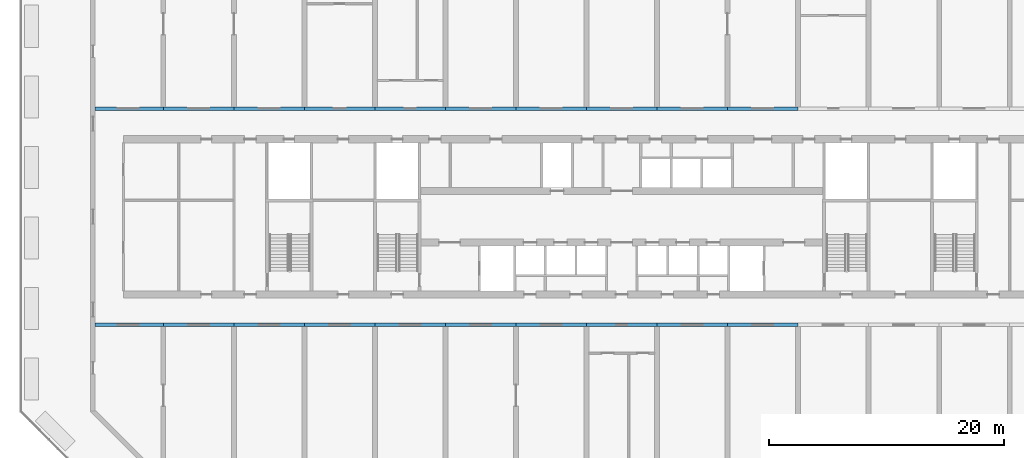
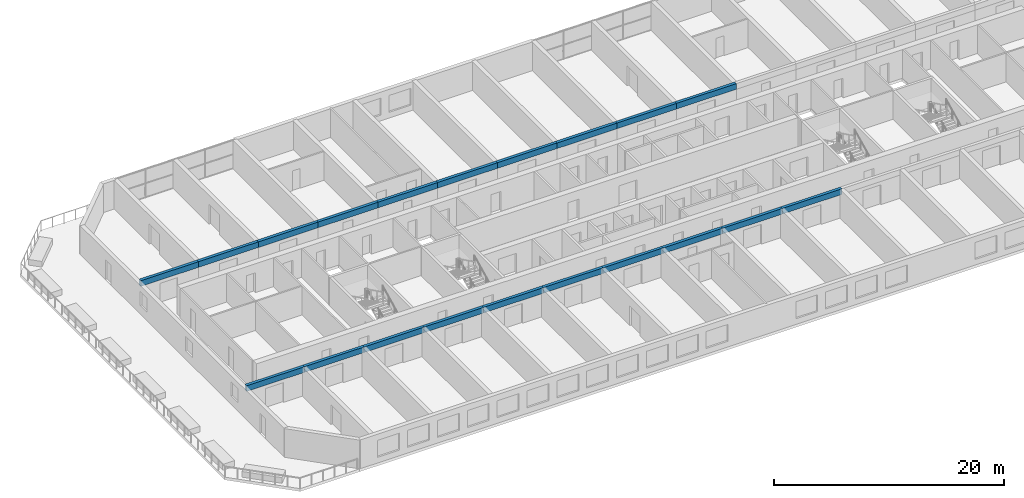
# One storey, part 1 of 21: 20 beams.
"""IFC4 building model written with IfcOpenShell, lengths in metres."""

from ifc_helpers import new_model, si_unit, direction, frame, origin, origin_2d, place, context, subcontext, project, spatial, rectangle, extrude, source, transform, mapped, material, material_profile, profile_set, type_object, element, save


model = new_model("IFC4")

# Units and contexts
model_context = context("Model", 3, precision=1e-05, world=origin(), true_north=direction((0.0, 1.0)))
body_context = subcontext(model_context, "Body", "Model", "MODEL_VIEW")
ifc_project = project(units=[si_unit("LENGTHUNIT", "METRE"), si_unit("AREAUNIT", "SQUARE_METRE"), si_unit("VOLUMEUNIT", "CUBIC_METRE"), si_unit("PLANEANGLEUNIT", "RADIAN"), si_unit("MASSUNIT", "GRAM", prefix="KILO")], contexts=[model_context])

# Site, building, storey
site_placement = place(None, origin())
site = spatial("IfcSite", under=ifc_project, at=site_placement, CompositionType="ELEMENT")
building_placement = place(site_placement, origin())
building = spatial("IfcBuilding", under=site, at=building_placement, Name="Poui Terraces", CompositionType="ELEMENT")
storey_placement = place(building_placement, frame((0.0, 0.0, 53.10009765625)))
storey = spatial("IfcBuildingStorey", under=building, at=storey_placement, Name="L14", CompositionType="ELEMENT", Elevation=53.10009765625)

# Beams
ifc_material = material(Name="Concrete 80 MPa", Category="concrete")
ifc_material_profile = material_profile(ifc_material, rectangle(XDim=0.300048828125, YDim=0.60009765625, at=origin_2d()), Name="RC 300x600")
ifc_profile_set = profile_set([ifc_material_profile], Name="Concrete 80 MPa")
beam_type = type_object("IfcBeamType", Name="COUPLING BEAM 300x600 80MPa", PredefinedType="BEAM", material=ifc_profile_set)
shared_shape_1 = source(origin(), body_context, "Body", "SweptSolid", [
    extrude(rectangle(XDim=0.300048828125, YDim=0.60009765625, at=origin_2d()), origin(), (0.0, 0.0, 1.0), 6.0),
])
for number, where, z_axis, x_axis, name in (
    (1, (12.0, 12.0, 2.75), (1.0, 0.0, 0.0), (0.0, 1.0, 0.0), "COUPLING BEAM LINE B BAY 2"),
    (2, (18.0, 12.0, 2.75), (1.0, 0.0, 0.0), (0.0, 1.0, 0.0), "COUPLING BEAM LINE B BAY 3"),
    (3, (24.0, 12.0, 2.75), (1.0, 0.0, 0.0), (0.0, 1.0, 0.0), "COUPLING BEAM LINE B BAY 4"),
    (4, (30.0, 12.0, 2.75), (1.0, 0.0, 0.0), (0.0, 1.0, 0.0), "COUPLING BEAM LINE B BAY 5"),
    (5, (36.0, 12.0, 2.75), (1.0, 0.0, 0.0), (0.0, 1.0, 0.0), "COUPLING BEAM LINE B BAY 6"),
    (6, (42.0, 12.0, 2.75), (1.0, 0.0, 0.0), (0.0, 1.0, 0.0), "COUPLING BEAM LINE B BAY 7"),
    (7, (48.0, 12.0, 2.75), (1.0, 0.0, 0.0), (0.0, 1.0, 0.0), "COUPLING BEAM LINE B BAY 8"),
    (8, (54.0, 12.0, 2.75), (1.0, 0.0, 0.0), (0.0, 1.0, 0.0), "COUPLING BEAM LINE B BAY 9"),
    (9, (60.0, 12.0, 2.75), (1.0, 0.0, 0.0), (0.0, 1.0, 0.0), "COUPLING BEAM LINE B BAY 10"),
    (10, (12.0, 30.39990234375, 2.75), (1.0, 0.0, 0.0), (0.0, 1.0, 0.0), "COUPLING BEAM LINE E BAY 2"),
    (11, (18.0, 30.39990234375, 2.75), (1.0, 0.0, 0.0), (0.0, 1.0, 0.0), "COUPLING BEAM LINE E BAY 3"),
    (12, (24.0, 30.39990234375, 2.75), (1.0, 0.0, 0.0), (0.0, 1.0, 0.0), "COUPLING BEAM LINE E BAY 4"),
    (13, (30.0, 30.39990234375, 2.75), (1.0, 0.0, 0.0), (0.0, 1.0, 0.0), "COUPLING BEAM LINE E BAY 5"),
    (14, (36.0, 30.39990234375, 2.75), (1.0, 0.0, 0.0), (0.0, 1.0, 0.0), "COUPLING BEAM LINE E BAY 6"),
    (15, (42.0, 30.39990234375, 2.75), (1.0, 0.0, 0.0), (0.0, 1.0, 0.0), "COUPLING BEAM LINE E BAY 7"),
    (16, (48.0, 30.39990234375, 2.75), (1.0, 0.0, 0.0), (0.0, 1.0, 0.0), "COUPLING BEAM LINE E BAY 8"),
    (17, (54.0, 30.39990234375, 2.75), (1.0, 0.0, 0.0), (0.0, 1.0, 0.0), "COUPLING BEAM LINE E BAY 9"),
    (18, (60.0, 30.39990234375, 2.75), (1.0, 0.0, 0.0), (0.0, 1.0, 0.0), "COUPLING BEAM LINE E BAY 10"),
):
    element("IfcBeam", number, at=place(storey_placement, frame(where, z_axis=z_axis, x_axis=x_axis)), inside=storey, type_object=beam_type, Name=name, PredefinedType="BEAM", context=body_context, shape_type="MappedRepresentation", body=[
        mapped(shared_shape_1, transform((0.0, 0.0, 0.0))),
    ])
shared_shape_2 = source(origin(), body_context, "Body", "SweptSolid", [
    extrude(rectangle(XDim=0.300048828125, YDim=0.60009765625, at=origin_2d()), origin(), (0.0, 0.0, 1.0), 5.800048828125),
])
for number, where, z_axis, x_axis, name in (
    (19, (6.199951171875, 12.0, 2.75), (1.0, 0.0, 0.0), (0.0, 1.0, 0.0), "COUPLING BEAM LINE B BAY 1"),
    (20, (6.199951171875, 30.39990234375, 2.75), (1.0, 0.0, 0.0), (0.0, 1.0, 0.0), "COUPLING BEAM LINE E BAY 1"),
):
    element("IfcBeam", number, at=place(storey_placement, frame(where, z_axis=z_axis, x_axis=x_axis)), inside=storey, type_object=beam_type, Name=name, PredefinedType="BEAM", context=body_context, shape_type="MappedRepresentation", body=[
        mapped(shared_shape_2, transform((0.0, 0.0, 0.0))),
    ])

save(model, "model.ifc")
